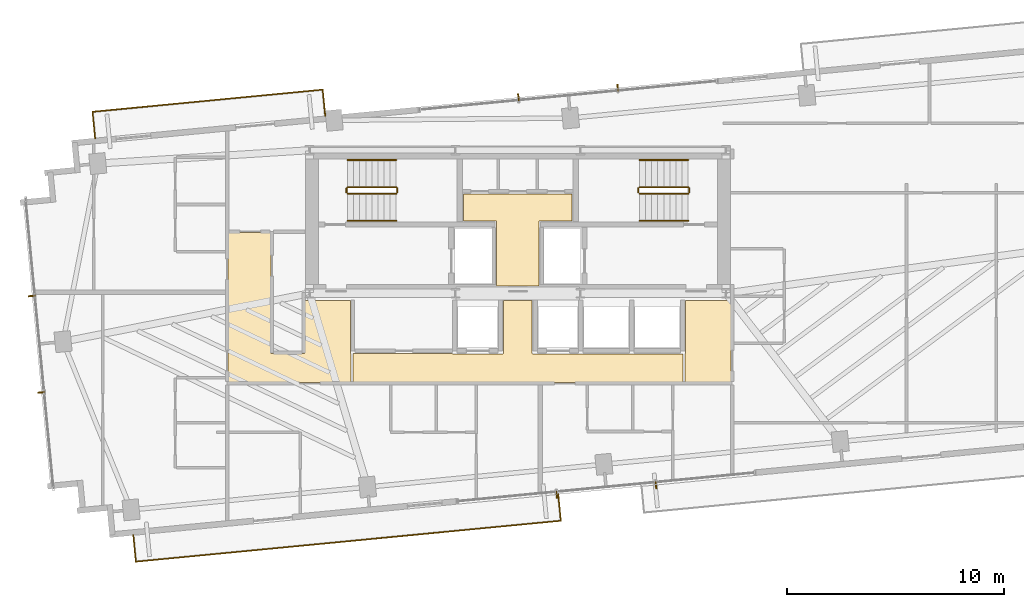
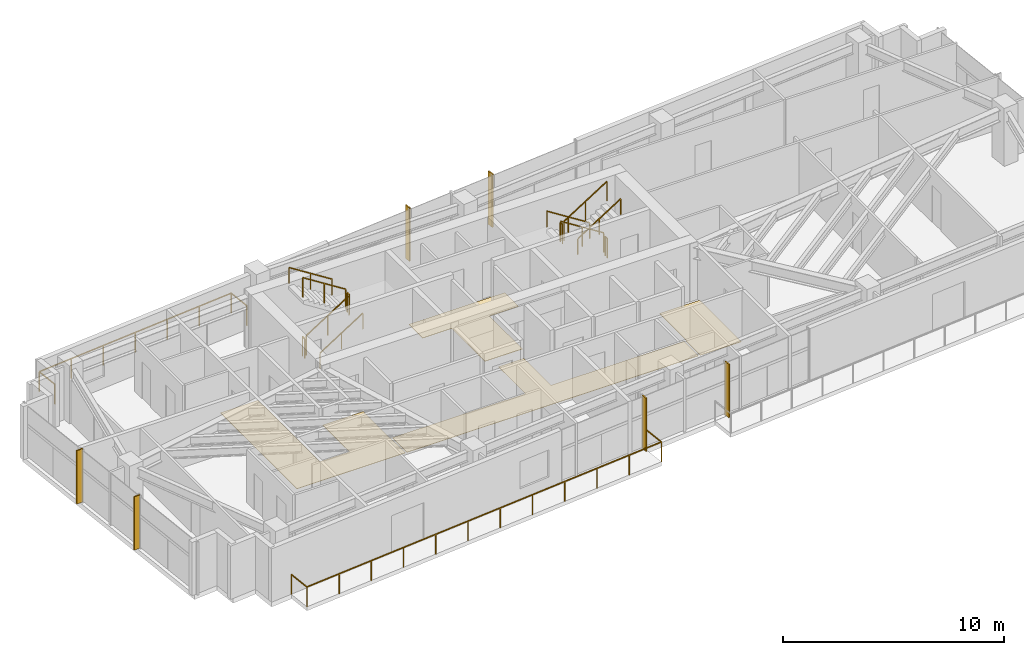
# One storey, part 17 of 18: 14 railings, 6 shading devices, 4 coverings.
"""IFC4 building model written with IfcOpenShell, lengths in metres."""

from ifc_helpers import new_model, si_unit, direction, frame, origin, origin_2d, place, context, subcontext, project, spatial, polyline, rectangle, outline, extrude, source, transform, mapped, material, layer, layer_set, type_object, type_shapes, element, save


model = new_model("IFC4")

# Units and contexts
model_context = context("Model", 3, precision=1e-05, world=origin(), true_north=direction((0.0, 1.0)))
body_context = subcontext(model_context, "Body", "Model", "MODEL_VIEW")
ifc_project = project(units=[si_unit("LENGTHUNIT", "METRE"), si_unit("AREAUNIT", "SQUARE_METRE"), si_unit("VOLUMEUNIT", "CUBIC_METRE"), si_unit("PLANEANGLEUNIT", "RADIAN"), si_unit("MASSUNIT", "GRAM", prefix="KILO")], contexts=[model_context])

# Site, building, storey
site_placement = place(None, origin())
site = spatial("IfcSite", under=ifc_project, at=site_placement, CompositionType="ELEMENT")
building_placement = place(site_placement, origin())
building = spatial("IfcBuilding", under=site, at=building_placement, Name="Astriad Promenade Condominiums", CompositionType="ELEMENT")
storey_placement = place(building_placement, frame((0.0, 0.0, 179.39990234375)))
storey = spatial("IfcBuildingStorey", under=building, at=storey_placement, Name="L51", CompositionType="ELEMENT", Elevation=179.39990234375)

# Coverings
ifc_material_1 = material(Name="Polished Lakefront Terrazzo Flooring")
ifc_layer = layer(ifc_material_1, 0.02001953125)
ifc_layer_set = layer_set([ifc_layer], Name="Polished Lakefront Terrazzo Flooring")
covering_type = type_object("IfcCoveringType", Name="COV-FLOR-TERRAZZO-20", PredefinedType="FLOORING", material=ifc_layer_set)
covering_1_placement = place(storey_placement, origin())
element("IfcCovering", 1, at=covering_1_placement, inside=storey, type_object=covering_type, Name="FLR-L51-CSL", PredefinedType="FLOORING", context=body_context, shape_type="SweptSolid", body=[
    extrude(outline(polyline([(36.97998046875, 20.699951171875), (36.97998046875, 17.739990234375), (35.02001953125, 17.739990234375), (35.02001953125, 20.699951171875), (35.019775390625, 20.703857421875), (35.019287109375, 20.707763671875), (35.018310546875, 20.711669921875), (35.01708984375, 20.71533203125), (35.015380859375, 20.718994140625), (35.01318359375, 20.72216796875), (35.010986328125, 20.725341796875), (35.00830078125, 20.728271484375), (35.00537109375, 20.73095703125), (35.002197265625, 20.7333984375), (34.998779296875, 20.7353515625), (34.995361328125, 20.737060546875), (34.99169921875, 20.73828125), (34.98779296875, 20.7392578125), (34.98388671875, 20.73974609375), (34.97998046875, 20.739990234375), (33.5, 20.739990234375), (33.5, 21.97998046875), (38.5, 21.97998046875), (38.5, 20.739990234375), (37.02001953125, 20.739990234375), (37.01611328125, 20.73974609375), (37.01220703125, 20.7392578125), (37.00830078125, 20.73828125), (37.004638671875, 20.737060546875), (37.001220703125, 20.7353515625), (36.997802734375, 20.7333984375), (36.99462890625, 20.73095703125), (36.99169921875, 20.728271484375), (36.989013671875, 20.725341796875), (36.98681640625, 20.72216796875), (36.984619140625, 20.718994140625), (36.98291015625, 20.71533203125), (36.981689453125, 20.711669921875), (36.980712890625, 20.707763671875), (36.980224609375, 20.703857421875), (36.97998046875, 20.699951171875)])), origin(), (0.0, 0.0, 1.0), 0.02001953125),
])
covering_2_placement = place(storey_placement, origin())
element("IfcCovering", 2, at=covering_2_placement, inside=storey, type_object=covering_type, Name="FLR-L51-LLB", PredefinedType="FLOORING", context=body_context, shape_type="SweptSolid", body=[
    extrude(outline(polyline([(32.9736328125, 14.6201171875), (32.974609375, 14.619140625), (32.977783203125, 14.61669921875), (32.981201171875, 14.61474609375), (32.984619140625, 14.613037109375), (32.98828125, 14.61181640625), (32.9921875, 14.61083984375), (32.99609375, 14.610107421875), (33.0, 14.610107421875), (35.300048828125, 14.610107421875), (35.303955078125, 14.610107421875), (35.307861328125, 14.61083984375), (35.3115234375, 14.61181640625), (35.315185546875, 14.613037109375), (35.31884765625, 14.61474609375), (35.322265625, 14.61669921875), (35.325439453125, 14.619140625), (35.328369140625, 14.62158203125), (35.330810546875, 14.62451171875), (35.333251953125, 14.627685546875), (35.335205078125, 14.631103515625), (35.3369140625, 14.634765625), (35.33837890625, 14.638427734375), (35.339111328125, 14.64208984375), (35.33984375, 14.64599609375), (35.340087890625, 14.64990234375), (35.340087890625, 17.06005859375), (36.659912109375, 17.06005859375), (36.659912109375, 14.64990234375), (36.66015625, 14.64599609375), (36.660888671875, 14.64208984375), (36.66162109375, 14.638427734375), (36.6630859375, 14.634765625), (36.664794921875, 14.631103515625), (36.666748046875, 14.627685546875), (36.669189453125, 14.62451171875), (36.671630859375, 14.62158203125), (36.674560546875, 14.619140625), (36.677734375, 14.61669921875), (36.68115234375, 14.61474609375), (36.684814453125, 14.613037109375), (36.6884765625, 14.61181640625), (36.692138671875, 14.61083984375), (36.696044921875, 14.610107421875), (36.699951171875, 14.610107421875), (43.610107421875, 14.610107421875), (43.610107421875, 13.2900390625), (28.389892578125, 13.2900390625), (28.389892578125, 14.6201171875), (32.9736328125, 14.6201171875)])), origin(), (0.0, 0.0, 1.0), 0.02001953125),
])
covering_3_placement = place(storey_placement, origin())
element("IfcCovering", 3, at=covering_3_placement, inside=storey, type_object=covering_type, Name="FLR-L51-COR-1", PredefinedType="FLOORING", context=body_context, shape_type="SweptSolid", body=[
    extrude(outline(polyline([(43.699951171875, 13.2900390625), (43.699951171875, 14.610107421875), (43.703857421875, 14.610107421875), (43.707763671875, 14.61083984375), (43.711669921875, 14.61181640625), (43.71533203125, 14.613037109375), (43.718994140625, 14.61474609375), (43.72216796875, 14.61669921875), (43.725341796875, 14.619140625), (43.728271484375, 14.62158203125), (43.73095703125, 14.62451171875), (43.7333984375, 14.627685546875), (43.7353515625, 14.631103515625), (43.737060546875, 14.634765625), (43.73828125, 14.638427734375), (43.7392578125, 14.64208984375), (43.73974609375, 14.64599609375), (43.739990234375, 14.64990234375), (43.739990234375, 17.06005859375), (45.840087890625, 17.06005859375), (45.840087890625, 13.2900390625), (43.699951171875, 13.2900390625)])), origin(), (0.0, 0.0, 1.0), 0.02001953125),
])
covering_4_placement = place(storey_placement, origin())
element("IfcCovering", 4, at=covering_4_placement, inside=storey, type_object=covering_type, Name="FLR-L51-COR-2", PredefinedType="FLOORING", context=body_context, shape_type="SweptSolid", body=[
    extrude(outline(polyline([(28.300048828125, 13.2900390625), (22.639892578125, 13.2900390625), (22.639892578125, 20.2099609375), (24.610107421875, 20.2099609375), (24.610107421875, 14.659912109375), (24.610107421875, 14.656005859375), (24.61083984375, 14.652099609375), (24.61181640625, 14.6484375), (24.613037109375, 14.644775390625), (24.61474609375, 14.64111328125), (24.61669921875, 14.6376953125), (24.619140625, 14.634521484375), (24.62158203125, 14.631591796875), (24.62451171875, 14.629150390625), (24.627685546875, 14.626708984375), (24.631103515625, 14.624755859375), (24.634765625, 14.623046875), (24.638427734375, 14.62158203125), (24.64208984375, 14.620849609375), (24.64599609375, 14.6201171875), (24.64990234375, 14.6201171875), (26.1201171875, 14.6201171875), (26.123779296875, 14.6201171875), (26.127685546875, 14.620849609375), (26.131591796875, 14.62158203125), (26.13525390625, 14.623046875), (26.138916015625, 14.624755859375), (26.14208984375, 14.626708984375), (26.1455078125, 14.629150390625), (26.148193359375, 14.631591796875), (26.15087890625, 14.634521484375), (26.1533203125, 14.6376953125), (26.1552734375, 14.64111328125), (26.156982421875, 14.644775390625), (26.158203125, 14.6484375), (26.1591796875, 14.652099609375), (26.159912109375, 14.656005859375), (26.159912109375, 14.659912109375), (26.159912109375, 17.06005859375), (28.280029296875, 17.06005859375), (28.280029296875, 14.659912109375), (28.2802734375, 14.656005859375), (28.28076171875, 14.652099609375), (28.28173828125, 14.6484375), (28.282958984375, 14.644775390625), (28.28466796875, 14.64111328125), (28.28662109375, 14.6376953125), (28.2890625, 14.634521484375), (28.291748046875, 14.631591796875), (28.294677734375, 14.629150390625), (28.2978515625, 14.626708984375), (28.300048828125, 14.62548828125), (28.300048828125, 13.2900390625)])), origin(), (0.0, 0.0, 1.0), 0.02001953125),
])

# Shading devices
ifc_material_2 = material(Name="Anodised aluminium 6063-T6 Black Fin", Category="aluminium")
shading_device_type = type_object("IfcShadingDeviceType", Name="FIN-BLACK-260", PredefinedType="USERDEFINED", material=ifc_material_2)
shared_shape_1 = source(origin(), body_context, "Body", "SweptSolid", [
    extrude(rectangle(XDim=0.06494140625, YDim=0.320068359375, at=origin_2d()), origin(), (0.0, 0.0, 1.0), 2.93994140625),
])
type_shapes(shading_device_type, [shared_shape_1])
for number, where, z_axis, x_axis, name in (
    (5, (14.021484375, 12.83203125, 0.000244140625), (0.0, 0.0, 1.0), (-0.09584575252, 0.995396198367, 0.0), "CW-L51-W-FIN-01"),
    (6, (13.59326171875, 17.278076171875, 0.000244140625), (0.0, 0.0, 1.0), (-0.09584575252, 0.995396198367, 0.0), "CW-L51-W-FIN-02"),
    (7, (36.02783203125, 26.447265625, 0.000244140625), (0.0, 0.0, 1.0), (0.995396198367, 0.09584575252, 0.0), "CW-L51-N-FIN-01"),
    (8, (40.606689453125, 26.88818359375, 0.000244140625), (0.0, 0.0, 1.0), (0.995396198367, 0.09584575252, 0.0), "CW-L51-N-FIN-02"),
    (9, (42.3720703125, 8.552734375, 0.000244140625), (0.0, 0.0, 1.0), (-0.995396198367, -0.09584575252, 0.0), "CW-L51-S-FIN-01"),
    (10, (37.793212890625, 8.11181640625, 0.000244140625), (0.0, 0.0, 1.0), (-0.995396198367, -0.09584575252, 0.0), "CW-L51-S-FIN-02"),
):
    element("IfcShadingDevice", number, at=place(storey_placement, frame(where, z_axis=z_axis, x_axis=x_axis)), inside=storey, type_object=shading_device_type, Name=name, ObjectType="FIN", PredefinedType="USERDEFINED", context=body_context, shape_type="MappedRepresentation", body=[
        mapped(shared_shape_1, transform((0.0, 0.0, 0.0), scale=1.0)),
    ])

# Railings
ifc_material_3 = material(Name="Laminated Glass and Stainless Steel Balustrade", Category="steel")
railing_type_1 = type_object("IfcRailingType", Name="GRD-BALC-1120", PredefinedType="BALUSTRADE", material=ifc_material_3)
shared_shape_2 = source(origin(), body_context, "Body", "SweptSolid", [
    extrude(rectangle(XDim=0.048095703125, YDim=0.048095703125, at=origin_2d()), frame((0.0, 0.0, 1.09619140625), z_axis=(0.095857307208, -0.99539508571, 0.0), x_axis=(0.99539508571, 0.095857307208, 0.0)), (0.0, 0.0, 1.0), 1.219970703125),
    extrude(rectangle(XDim=0.048095703125, YDim=0.048095703125, at=origin_2d()), frame((0.116943359375, -1.21435546875, 1.09619140625), z_axis=(0.995395702872, 0.095850898295, 0.0), x_axis=(-0.095850898295, 0.995395702872, 0.0)), (0.0, 0.0, 1.0), 19.683837890625),
    extrude(rectangle(XDim=0.048095703125, YDim=0.048095703125, at=origin_2d()), frame((19.710205078125, 0.67236328125, 1.09619140625), z_axis=(-0.095857307208, 0.99539508571, 0.0), x_axis=(-0.99539508571, -0.095857307208, 0.0)), (0.0, 0.0, 1.0), 1.219970703125),
    extrude(rectangle(XDim=0.0419921875, YDim=0.0419921875, at=origin_2d()), origin(), (0.0, 0.0, 1.0), 1.072021484375),
    extrude(rectangle(XDim=0.0419921875, YDim=0.0419921875, at=origin_2d()), frame((0.116943359375, -1.21435546875, 0.0)), (0.0, 0.0, 1.0), 1.072021484375),
    extrude(rectangle(XDim=0.0419921875, YDim=0.0419921875, at=origin_2d()), frame((1.898193359375, -1.042724609375, 0.0)), (0.0, 0.0, 1.0), 1.072021484375),
    extrude(rectangle(XDim=0.0419921875, YDim=0.0419921875, at=origin_2d()), frame((3.679443359375, -0.871337890625, 0.0)), (0.0, 0.0, 1.0), 1.072021484375),
    extrude(rectangle(XDim=0.0419921875, YDim=0.0419921875, at=origin_2d()), frame((5.46044921875, -0.69970703125, 0.0)), (0.0, 0.0, 1.0), 1.072021484375),
    extrude(rectangle(XDim=0.0419921875, YDim=0.0419921875, at=origin_2d()), frame((7.24169921875, -0.5283203125, 0.0)), (0.0, 0.0, 1.0), 1.072021484375),
    extrude(rectangle(XDim=0.0419921875, YDim=0.0419921875, at=origin_2d()), frame((9.02294921875, -0.356689453125, 0.0)), (0.0, 0.0, 1.0), 1.072021484375),
    extrude(rectangle(XDim=0.0419921875, YDim=0.0419921875, at=origin_2d()), frame((10.80419921875, -0.185302734375, 0.0)), (0.0, 0.0, 1.0), 1.072021484375),
    extrude(rectangle(XDim=0.0419921875, YDim=0.0419921875, at=origin_2d()), frame((12.58544921875, -0.013671875, 0.0)), (0.0, 0.0, 1.0), 1.072021484375),
    extrude(rectangle(XDim=0.0419921875, YDim=0.0419921875, at=origin_2d()), frame((14.36669921875, 0.15771484375, 0.0)), (0.0, 0.0, 1.0), 1.072021484375),
    extrude(rectangle(XDim=0.0419921875, YDim=0.0419921875, at=origin_2d()), frame((16.147705078125, 0.329345703125, 0.0)), (0.0, 0.0, 1.0), 1.072021484375),
    extrude(rectangle(XDim=0.0419921875, YDim=0.0419921875, at=origin_2d()), frame((17.928955078125, 0.500732421875, 0.0)), (0.0, 0.0, 1.0), 1.072021484375),
    extrude(rectangle(XDim=0.0419921875, YDim=0.0419921875, at=origin_2d()), frame((19.710205078125, 0.67236328125, 0.0)), (0.0, 0.0, 1.0), 1.072021484375),
    extrude(rectangle(XDim=0.0419921875, YDim=0.0419921875, at=origin_2d()), frame((19.59326171875, 1.88671875, 0.0)), (0.0, 0.0, 1.0), 1.072021484375),
])
railing_1_placement = place(storey_placement, frame((18.271728515625, 6.2421875, 0.0)))
element("IfcRailing", 11, at=railing_1_placement, inside=storey, type_object=railing_type_1, Name="GRD-BALC-L51-SW", PredefinedType="BALUSTRADE", context=body_context, shape_type="MappedRepresentation", body=[
    mapped(shared_shape_2, transform((0.0, 0.0, 0.0), scale=1.0)),
])
shared_shape_3 = source(origin(), body_context, "Body", "SweptSolid", [
    extrude(rectangle(XDim=0.048095703125, YDim=0.048095703125, at=origin_2d()), frame((0.0, 0.0, 1.09619140625), z_axis=(-0.095857307208, 0.99539508571, 0.0), x_axis=(-0.99539508571, -0.095857307208, 0.0)), (0.0, 0.0, 1.0), 1.219970703125),
    extrude(rectangle(XDim=0.048095703125, YDim=0.048095703125, at=origin_2d()), frame((-0.116943359375, 1.21435546875, 1.09619140625), z_axis=(-0.995397063622, -0.095836766081, 0.0), x_axis=(0.095836766081, -0.995397063622, 0.0)), (0.0, 0.0, 1.0), 10.6611328125),
    extrude(rectangle(XDim=0.048095703125, YDim=0.048095703125, at=origin_2d()), frame((-10.72900390625, 0.192626953125, 1.09619140625), z_axis=(0.095857307208, -0.99539508571, 0.0), x_axis=(0.99539508571, 0.095857307208, 0.0)), (0.0, 0.0, 1.0), 1.219970703125),
    extrude(rectangle(XDim=0.0419921875, YDim=0.0419921875, at=origin_2d()), origin(), (0.0, 0.0, 1.0), 1.072021484375),
    extrude(rectangle(XDim=0.0419921875, YDim=0.0419921875, at=origin_2d()), frame((-0.116943359375, 1.21435546875, 0.0)), (0.0, 0.0, 1.0), 1.072021484375),
    extrude(rectangle(XDim=0.0419921875, YDim=0.0419921875, at=origin_2d()), frame((-1.8857421875, 1.0439453125, 0.0)), (0.0, 0.0, 1.0), 1.072021484375),
    extrude(rectangle(XDim=0.0419921875, YDim=0.0419921875, at=origin_2d()), frame((-3.654296875, 0.873779296875, 0.0)), (0.0, 0.0, 1.0), 1.072021484375),
    extrude(rectangle(XDim=0.0419921875, YDim=0.0419921875, at=origin_2d()), frame((-5.4228515625, 0.70361328125, 0.0)), (0.0, 0.0, 1.0), 1.072021484375),
    extrude(rectangle(XDim=0.0419921875, YDim=0.0419921875, at=origin_2d()), frame((-7.191650390625, 0.533203125, 0.0)), (0.0, 0.0, 1.0), 1.072021484375),
    extrude(rectangle(XDim=0.0419921875, YDim=0.0419921875, at=origin_2d()), frame((-8.96044921875, 0.36279296875, 0.0)), (0.0, 0.0, 1.0), 1.072021484375),
    extrude(rectangle(XDim=0.0419921875, YDim=0.0419921875, at=origin_2d()), frame((-10.72900390625, 0.192626953125, 0.0)), (0.0, 0.0, 1.0), 1.072021484375),
    extrude(rectangle(XDim=0.0419921875, YDim=0.0419921875, at=origin_2d()), frame((-10.612060546875, -1.021728515625, 0.0)), (0.0, 0.0, 1.0), 1.072021484375),
])
type_shapes(railing_type_1, [shared_shape_2, shared_shape_3])
railing_2_placement = place(storey_placement, frame((27.1201171875, 25.579345703125, 0.0)))
element("IfcRailing", 12, at=railing_2_placement, inside=storey, type_object=railing_type_1, Name="GRD-BALC-L51-NW", PredefinedType="BALUSTRADE", context=body_context, shape_type="MappedRepresentation", body=[
    mapped(shared_shape_3, transform((0.0, 0.0, 0.0), scale=1.0)),
])
ifc_material_4 = material(Name="Painted Galvanised Steel Guardrail", Category="steel")
railing_type_2 = type_object("IfcRailingType", Name="GRD-STAIR-1100", PredefinedType="GUARDRAIL", material=ifc_material_4)
shared_shape_4 = source(origin(), body_context, "Body", "SweptSolid", [
    extrude(rectangle(XDim=0.048095703125, YDim=0.048095703125, at=origin_2d()), frame((0.0, 0.0, 1.076171875), z_axis=(0.0, 1.0, 0.0), x_axis=(-1.0, 0.0, 0.0)), (0.0, 0.0, 1.0), 0.199951171875),
    extrude(rectangle(XDim=0.0419921875, YDim=0.0419921875, at=origin_2d()), origin(), (0.0, 0.0, 1.0), 1.052001953125),
    extrude(rectangle(XDim=0.0419921875, YDim=0.0419921875, at=origin_2d()), frame((0.0, 0.199951171875, 0.0)), (0.0, 0.0, 1.0), 1.052001953125),
])
for number, where, name in (
    (13, (30.43994140625, 22.050048828125, 1.60009765625), "L51 ST-1 stair guard 2"),
    (14, (28.10009765625, 22.050048828125, 0.0), "L51 ST-1 stair guard 4"),
):
    element("IfcRailing", number, at=place(storey_placement, frame(where)), inside=storey, type_object=railing_type_2, Name=name, PredefinedType="GUARDRAIL", context=body_context, shape_type="MappedRepresentation", body=[
        mapped(shared_shape_4, transform((0.0, 0.0, 0.0), scale=1.0)),
    ])
shared_shape_5 = source(origin(), body_context, "Body", "SweptSolid", [
    extrude(rectangle(XDim=0.048095703125, YDim=0.048095703125, at=origin_2d()), frame((0.0, 0.0, 1.076171875), z_axis=(0.84418770128, 0.0, 0.536047689118), x_axis=(0.0, 1.0, 0.0)), (0.0, 0.0, 1.0), 2.6533203125),
    extrude(rectangle(XDim=0.0419921875, YDim=0.0419921875, at=origin_2d()), origin(), (0.0, 0.0, 1.0), 1.052001953125),
    extrude(rectangle(XDim=0.0419921875, YDim=0.0419921875, at=origin_2d()), frame((1.1201171875, 0.0, 0.711181640625)), (0.0, 0.0, 1.0), 1.052001953125),
    extrude(rectangle(XDim=0.0419921875, YDim=0.0419921875, at=origin_2d()), frame((2.239990234375, 0.0, 1.42236328125)), (0.0, 0.0, 1.0), 1.052001953125),
])
railing_3_placement = place(storey_placement, frame((41.610107421875, 22.0, 1.77783203125)))
element("IfcRailing", 15, at=railing_3_placement, inside=storey, type_object=railing_type_2, Name="L51 ST-2 stair guard 3", PredefinedType="GUARDRAIL", context=body_context, shape_type="MappedRepresentation", body=[
    mapped(shared_shape_5, transform((0.0, 0.0, 0.0), scale=1.0)),
])
shared_shape_6 = source(origin(), body_context, "Body", "SweptSolid", [
    extrude(rectangle(XDim=0.048095703125, YDim=0.048095703125, at=origin_2d()), frame((0.0, 0.0, 1.076171875), z_axis=(-0.8442293374, 0.0, 0.53598211339), x_axis=(0.0, -1.0, 0.0)), (0.0, 0.0, 1.0), 2.6533203125),
    extrude(rectangle(XDim=0.0419921875, YDim=0.0419921875, at=origin_2d()), origin(), (0.0, 0.0, 1.0), 1.052001953125),
    extrude(rectangle(XDim=0.0419921875, YDim=0.0419921875, at=origin_2d()), frame((-1.1201171875, 0.0, 0.7109375)), (0.0, 0.0, 1.0), 1.052001953125),
    extrude(rectangle(XDim=0.0419921875, YDim=0.0419921875, at=origin_2d()), frame((-2.239990234375, 0.0, 1.422119140625)), (0.0, 0.0, 1.0), 1.052001953125),
])
railing_4_placement = place(storey_placement, frame((43.85009765625, 22.300048828125, 0.177978515625)))
element("IfcRailing", 16, at=railing_4_placement, inside=storey, type_object=railing_type_2, Name="L51 ST-2 stair guard 1", PredefinedType="GUARDRAIL", context=body_context, shape_type="MappedRepresentation", body=[
    mapped(shared_shape_6, transform((0.0, 0.0, 0.0), scale=1.0)),
])
ifc_material_5 = material(Name="Brushed Stainless Steel Handrail", Category="steel")
railing_type_3 = type_object("IfcRailingType", Name="HRL-STAIR-920", PredefinedType="HANDRAIL", material=ifc_material_5)
shared_shape_7 = source(origin(), body_context, "Body", "SweptSolid", [
    extrude(rectangle(XDim=0.048095703125, YDim=0.048095703125, at=origin_2d()), frame((0.0, 0.0, 0.8759765625), z_axis=(0.84418770128, 0.0, 0.536047689118), x_axis=(0.0, 1.0, 0.0)), (0.0, 0.0, 1.0), 2.6533203125),
    extrude(rectangle(XDim=0.0419921875, YDim=0.0419921875, at=origin_2d()), origin(), (0.0, 0.0, 1.0), 0.851806640625),
    extrude(rectangle(XDim=0.0419921875, YDim=0.0419921875, at=origin_2d()), frame((1.1201171875, 0.0, 0.711181640625)), (0.0, 0.0, 1.0), 0.851806640625),
    extrude(rectangle(XDim=0.0419921875, YDim=0.0419921875, at=origin_2d()), frame((2.239990234375, 0.0, 1.42236328125)), (0.0, 0.0, 1.0), 0.851806640625),
])
railing_5_placement = place(storey_placement, frame((41.610107421875, 20.75, 1.77783203125)))
element("IfcRailing", 17, at=railing_5_placement, inside=storey, type_object=railing_type_3, Name="L51 ST-2 stair handrail 2", PredefinedType="HANDRAIL", context=body_context, shape_type="MappedRepresentation", body=[
    mapped(shared_shape_7, transform((0.0, 0.0, 0.0), scale=1.0)),
])
shared_shape_8 = source(origin(), body_context, "Body", "SweptSolid", [
    extrude(rectangle(XDim=0.048095703125, YDim=0.048095703125, at=origin_2d()), frame((0.0, 0.0, 0.8759765625), z_axis=(-0.8442293374, 0.0, 0.53598211339), x_axis=(0.0, -1.0, 0.0)), (0.0, 0.0, 1.0), 2.6533203125),
    extrude(rectangle(XDim=0.0419921875, YDim=0.0419921875, at=origin_2d()), origin(), (0.0, 0.0, 1.0), 0.851806640625),
    extrude(rectangle(XDim=0.0419921875, YDim=0.0419921875, at=origin_2d()), frame((-1.1201171875, 0.0, 0.7109375)), (0.0, 0.0, 1.0), 0.851806640625),
    extrude(rectangle(XDim=0.0419921875, YDim=0.0419921875, at=origin_2d()), frame((-2.239990234375, 0.0, 1.422119140625)), (0.0, 0.0, 1.0), 0.851806640625),
])
railing_6_placement = place(storey_placement, frame((43.85009765625, 23.550048828125, 0.177978515625)))
element("IfcRailing", 18, at=railing_6_placement, inside=storey, type_object=railing_type_3, Name="L51 ST-2 stair handrail 1", PredefinedType="HANDRAIL", context=body_context, shape_type="MappedRepresentation", body=[
    mapped(shared_shape_8, transform((0.0, 0.0, 0.0), scale=1.0)),
])
shared_shape_9 = source(origin(), body_context, "Body", "SweptSolid", [
    extrude(rectangle(XDim=0.048095703125, YDim=0.048095703125, at=origin_2d()), frame((0.0, 0.0, 1.076171875), z_axis=(0.8442293374, 0.0, 0.53598211339), x_axis=(0.0, 1.0, 0.0)), (0.0, 0.0, 1.0), 2.6533203125),
    extrude(rectangle(XDim=0.0419921875, YDim=0.0419921875, at=origin_2d()), origin(), (0.0, 0.0, 1.0), 1.052001953125),
    extrude(rectangle(XDim=0.0419921875, YDim=0.0419921875, at=origin_2d()), frame((1.1201171875, 0.0, 0.7109375)), (0.0, 0.0, 1.0), 1.052001953125),
    extrude(rectangle(XDim=0.0419921875, YDim=0.0419921875, at=origin_2d()), frame((2.239990234375, 0.0, 1.422119140625)), (0.0, 0.0, 1.0), 1.052001953125),
])
railing_7_placement = place(storey_placement, frame((28.14990234375, 22.0, 0.177978515625)))
element("IfcRailing", 19, at=railing_7_placement, inside=storey, type_object=railing_type_2, Name="L51 ST-1 stair guard 1", PredefinedType="GUARDRAIL", context=body_context, shape_type="MappedRepresentation", body=[
    mapped(shared_shape_9, transform((0.0, 0.0, 0.0), scale=1.0)),
])
shared_shape_10 = source(origin(), body_context, "Body", "SweptSolid", [
    extrude(rectangle(XDim=0.048095703125, YDim=0.048095703125, at=origin_2d()), frame((0.0, 0.0, 1.076171875), z_axis=(-0.84418770128, 0.0, 0.536047689118), x_axis=(0.0, -1.0, 0.0)), (0.0, 0.0, 1.0), 2.6533203125),
    extrude(rectangle(XDim=0.0419921875, YDim=0.0419921875, at=origin_2d()), origin(), (0.0, 0.0, 1.0), 1.052001953125),
    extrude(rectangle(XDim=0.0419921875, YDim=0.0419921875, at=origin_2d()), frame((-1.1201171875, 0.0, 0.711181640625)), (0.0, 0.0, 1.0), 1.052001953125),
    extrude(rectangle(XDim=0.0419921875, YDim=0.0419921875, at=origin_2d()), frame((-2.239990234375, 0.0, 1.42236328125)), (0.0, 0.0, 1.0), 1.052001953125),
])
railing_8_placement = place(storey_placement, frame((30.389892578125, 22.300048828125, 1.77783203125)))
element("IfcRailing", 20, at=railing_8_placement, inside=storey, type_object=railing_type_2, Name="L51 ST-1 stair guard 3", PredefinedType="GUARDRAIL", context=body_context, shape_type="MappedRepresentation", body=[
    mapped(shared_shape_10, transform((0.0, 0.0, 0.0), scale=1.0)),
])
shared_shape_11 = source(origin(), body_context, "Body", "SweptSolid", [
    extrude(rectangle(XDim=0.048095703125, YDim=0.048095703125, at=origin_2d()), frame((0.0, 0.0, 0.8759765625), z_axis=(0.8442293374, 0.0, 0.53598211339), x_axis=(0.0, 1.0, 0.0)), (0.0, 0.0, 1.0), 2.6533203125),
    extrude(rectangle(XDim=0.0419921875, YDim=0.0419921875, at=origin_2d()), origin(), (0.0, 0.0, 1.0), 0.851806640625),
    extrude(rectangle(XDim=0.0419921875, YDim=0.0419921875, at=origin_2d()), frame((1.1201171875, 0.0, 0.7109375)), (0.0, 0.0, 1.0), 0.851806640625),
    extrude(rectangle(XDim=0.0419921875, YDim=0.0419921875, at=origin_2d()), frame((2.239990234375, 0.0, 1.422119140625)), (0.0, 0.0, 1.0), 0.851806640625),
])
railing_9_placement = place(storey_placement, frame((28.14990234375, 20.75, 0.177978515625)))
element("IfcRailing", 21, at=railing_9_placement, inside=storey, type_object=railing_type_3, Name="L51 ST-1 stair handrail 1", PredefinedType="HANDRAIL", context=body_context, shape_type="MappedRepresentation", body=[
    mapped(shared_shape_11, transform((0.0, 0.0, 0.0), scale=1.0)),
])
shared_shape_12 = source(origin(), body_context, "Body", "SweptSolid", [
    extrude(rectangle(XDim=0.048095703125, YDim=0.048095703125, at=origin_2d()), frame((0.0, 0.0, 0.8759765625), z_axis=(-0.84418770128, 0.0, 0.536047689118), x_axis=(0.0, -1.0, 0.0)), (0.0, 0.0, 1.0), 2.6533203125),
    extrude(rectangle(XDim=0.0419921875, YDim=0.0419921875, at=origin_2d()), origin(), (0.0, 0.0, 1.0), 0.851806640625),
    extrude(rectangle(XDim=0.0419921875, YDim=0.0419921875, at=origin_2d()), frame((-1.1201171875, 0.0, 0.711181640625)), (0.0, 0.0, 1.0), 0.851806640625),
    extrude(rectangle(XDim=0.0419921875, YDim=0.0419921875, at=origin_2d()), frame((-2.239990234375, 0.0, 1.42236328125)), (0.0, 0.0, 1.0), 0.851806640625),
])
type_shapes(railing_type_3, [shared_shape_7, shared_shape_8, shared_shape_11, shared_shape_12])
railing_10_placement = place(storey_placement, frame((30.389892578125, 23.550048828125, 1.77783203125)))
element("IfcRailing", 22, at=railing_10_placement, inside=storey, type_object=railing_type_3, Name="L51 ST-1 stair handrail 2", PredefinedType="HANDRAIL", context=body_context, shape_type="MappedRepresentation", body=[
    mapped(shared_shape_12, transform((0.0, 0.0, 0.0), scale=1.0)),
])
shared_shape_13 = source(origin(), body_context, "Body", "SweptSolid", [
    extrude(rectangle(XDim=0.048095703125, YDim=0.048095703125, at=origin_2d()), frame((0.0, 0.0, 1.076171875), z_axis=(0.0, -1.0, 0.0), x_axis=(1.0, 0.0, 0.0)), (0.0, 0.0, 1.0), 0.199951171875),
    extrude(rectangle(XDim=0.0419921875, YDim=0.0419921875, at=origin_2d()), origin(), (0.0, 0.0, 1.0), 1.052001953125),
    extrude(rectangle(XDim=0.0419921875, YDim=0.0419921875, at=origin_2d()), frame((0.0, -0.199951171875, 0.0)), (0.0, 0.0, 1.0), 1.052001953125),
])
type_shapes(railing_type_2, [shared_shape_4, shared_shape_5, shared_shape_6, shared_shape_9, shared_shape_10, shared_shape_13])
for number, where, name in (
    (23, (41.56005859375, 22.25, 1.60009765625), "L51 ST-2 stair guard 2"),
    (24, (43.89990234375, 22.25, 0.0), "L51 ST-2 stair guard 4"),
):
    element("IfcRailing", number, at=place(storey_placement, frame(where)), inside=storey, type_object=railing_type_2, Name=name, PredefinedType="GUARDRAIL", context=body_context, shape_type="MappedRepresentation", body=[
        mapped(shared_shape_13, transform((0.0, 0.0, 0.0), scale=1.0)),
    ])

save(model, "model.ifc")
